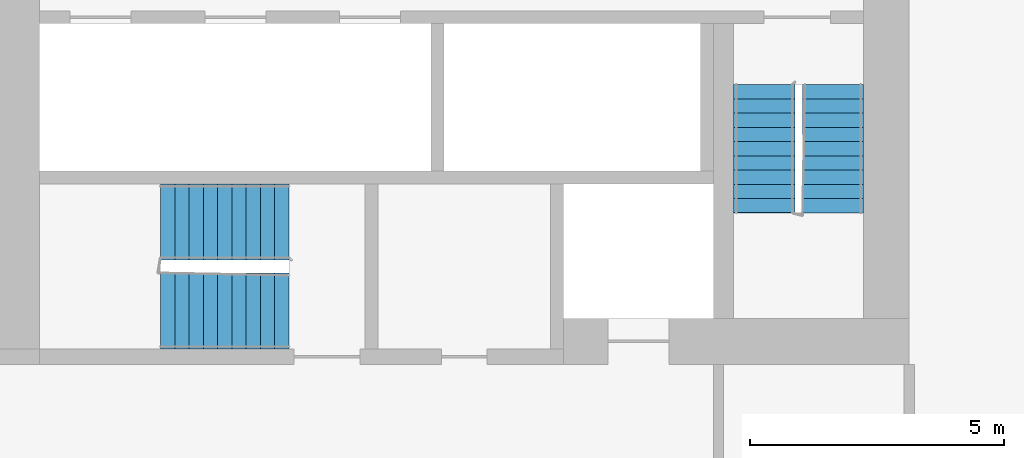
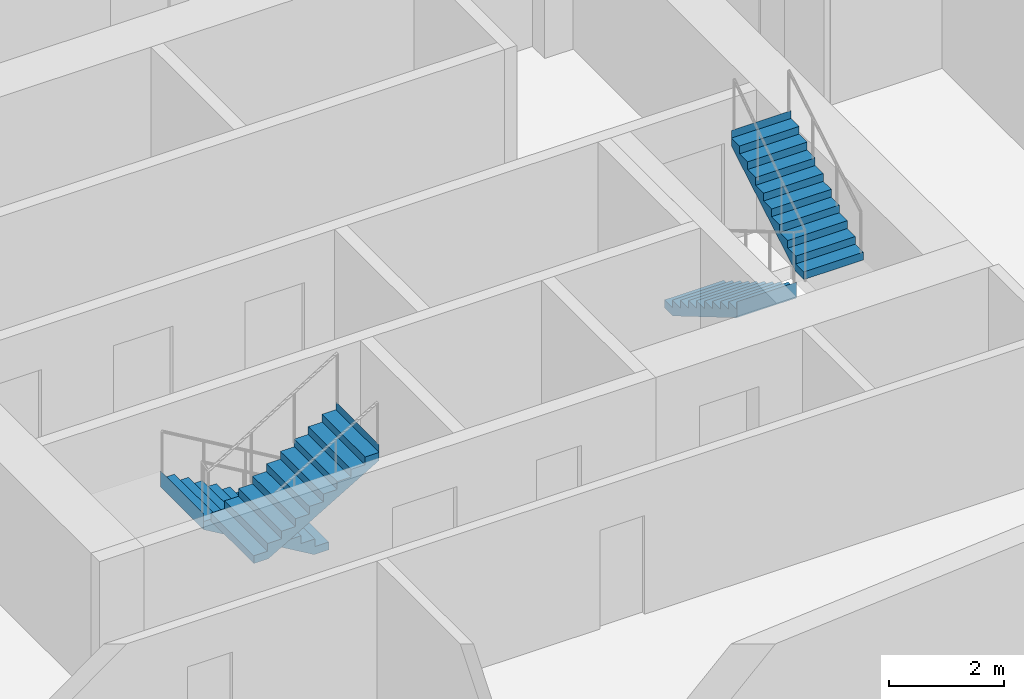
# One storey, part 9 of 12: 4 stair flights, 2 elements without a shape of their own.
"""IFC4 building model written with IfcOpenShell, lengths in metres."""

from ifc_helpers import new_model, si_unit, direction, frame, origin, place, context, subcontext, project, spatial, faceted_brep, material, type_object, element, aggregate, save


model = new_model("IFC4")

# Units and contexts
model_context = context("Model", 3, precision=1e-05, world=origin(), true_north=direction((0.0, 1.0)))
body_context = subcontext(model_context, "Body", "Model", "MODEL_VIEW")
ifc_project = project(units=[si_unit("LENGTHUNIT", "METRE"), si_unit("AREAUNIT", "SQUARE_METRE"), si_unit("VOLUMEUNIT", "CUBIC_METRE"), si_unit("PLANEANGLEUNIT", "RADIAN"), si_unit("MASSUNIT", "GRAM", prefix="KILO")], contexts=[model_context])

# Site, building, storey
site_placement = place(None, origin())
site = spatial("IfcSite", under=ifc_project, at=site_placement, CompositionType="ELEMENT")
building_placement = place(site_placement, origin())
building = spatial("IfcBuilding", under=site, at=building_placement, Name="Kajstack Hotel Tower", CompositionType="ELEMENT")
storey_placement = place(building_placement, frame((0.0, 0.0, 114.10009765625)))
storey = spatial("IfcBuildingStorey", under=building, at=storey_placement, Name="L24", CompositionType="ELEMENT", Elevation=114.10009765625)

# Stair, stair flights
ifc_material = material(Name="Concrete C40/50", Category="concrete")
stair_type_1 = type_object("IfcStairType", Name="Exit stair 1200", PredefinedType="HALF_TURN_STAIR", material=ifc_material)
stair_1_placement = place(storey_placement, origin())
stair_1 = element("IfcStair", 1, at=stair_1_placement, inside=storey, type_object=stair_type_1, Name="L24 stair W2", PredefinedType="HALF_TURN_STAIR")
stair_flight_type_1 = type_object("IfcStairFlightType", Name="Exit stair flight 1200", PredefinedType="STRAIGHT", material=ifc_material)
stair_flight_1_placement = place(storey_placement, frame((-16.35009765625, -10.0, 0.0), z_axis=(0.0, 0.0, 1.0), x_axis=(0.0, -1.0, 0.0)))
stair_flight_1 = element("IfcStairFlight", 2, at=stair_flight_1_placement, type_object=stair_flight_type_1, Name="W2 flight 1", NumberOfRisers=10, NumberOfTreads=9, PredefinedType="STRAIGHT", RiserHeight=0.165, TreadLength=0.28, context=body_context, shape_type="Brep", body=[
    faceted_brep([(0.295654296875, -0.60009765625, 0.0), (2.5205078125, -0.60009765625, 1.31103515625), (2.5205078125, -0.60009765625, 1.64990234375), (2.52001953125, -0.60009765625, 1.64990234375), (2.52001953125, -0.60009765625, 1.485107421875), (2.239990234375, -0.60009765625, 1.485107421875), (2.239990234375, -0.60009765625, 1.320068359375), (1.9599609375, -0.60009765625, 1.320068359375), (1.9599609375, -0.60009765625, 1.155029296875), (1.679931640625, -0.60009765625, 1.155029296875), (1.679931640625, -0.60009765625, 0.989990234375), (1.39990234375, -0.60009765625, 0.989990234375), (1.39990234375, -0.60009765625, 0.824951171875), (1.1201171875, -0.60009765625, 0.824951171875), (1.1201171875, -0.60009765625, 0.659912109375), (0.840087890625, -0.60009765625, 0.659912109375), (0.840087890625, -0.60009765625, 0.4951171875), (0.56005859375, -0.60009765625, 0.4951171875), (0.56005859375, -0.60009765625, 0.330078125), (0.280029296875, -0.60009765625, 0.330078125), (0.280029296875, -0.60009765625, 0.1650390625), (-0.00048828125, -0.60009765625, 0.1650390625), (-0.00048828125, -0.60009765625, 0.0), (-0.00048828125, 0.60009765625, 0.0), (-0.00048828125, 0.60009765625, 0.1650390625), (0.280029296875, 0.60009765625, 0.1650390625), (0.280029296875, 0.60009765625, 0.330078125), (0.56005859375, 0.60009765625, 0.330078125), (0.56005859375, 0.60009765625, 0.4951171875), (0.840087890625, 0.60009765625, 0.4951171875), (0.840087890625, 0.60009765625, 0.659912109375), (1.1201171875, 0.60009765625, 0.659912109375), (1.1201171875, 0.60009765625, 0.824951171875), (1.39990234375, 0.60009765625, 0.824951171875), (1.39990234375, 0.60009765625, 0.989990234375), (1.679931640625, 0.60009765625, 0.989990234375), (1.679931640625, 0.60009765625, 1.155029296875), (1.9599609375, 0.60009765625, 1.155029296875), (1.9599609375, 0.60009765625, 1.320068359375), (2.239990234375, 0.60009765625, 1.320068359375), (2.239990234375, 0.60009765625, 1.485107421875), (2.52001953125, 0.60009765625, 1.485107421875), (2.52001953125, 0.60009765625, 1.64990234375), (2.5205078125, 0.60009765625, 1.64990234375), (2.5205078125, 0.60009765625, 1.31103515625), (0.295654296875, 0.60009765625, 0.0), (-0.00048828125, -0.300048828125, 0.1650390625), (-0.00048828125, 0.0, 0.1650390625), (-0.00048828125, 0.300048828125, 0.1650390625), (-0.00048828125, 0.300048828125, 0.0), (-0.00048828125, 0.0, 0.0), (-0.00048828125, -0.300048828125, 0.0), (0.280029296875, -0.300048828125, 0.1650390625), (0.280029296875, 0.0, 0.1650390625), (0.280029296875, 0.300048828125, 0.1650390625), (0.280029296875, -0.300048828125, 0.330078125), (0.280029296875, 0.0, 0.330078125), (0.280029296875, 0.300048828125, 0.330078125), (0.56005859375, -0.300048828125, 0.330078125), (0.56005859375, 0.0, 0.330078125), (0.56005859375, 0.300048828125, 0.330078125), (0.56005859375, -0.300048828125, 0.4951171875), (0.56005859375, 0.0, 0.4951171875), (0.56005859375, 0.300048828125, 0.4951171875), (0.840087890625, -0.300048828125, 0.4951171875), (0.840087890625, 0.0, 0.4951171875), (0.840087890625, 0.300048828125, 0.4951171875), (0.840087890625, -0.300048828125, 0.659912109375), (0.840087890625, 0.0, 0.659912109375), (0.840087890625, 0.300048828125, 0.659912109375), (1.1201171875, -0.300048828125, 0.659912109375), (1.1201171875, 0.0, 0.659912109375), (1.1201171875, 0.300048828125, 0.659912109375), (1.1201171875, -0.300048828125, 0.824951171875), (1.1201171875, 0.0, 0.824951171875), (1.1201171875, 0.300048828125, 0.824951171875), (1.39990234375, -0.300048828125, 0.824951171875), (1.39990234375, 0.0, 0.824951171875), (1.39990234375, 0.300048828125, 0.824951171875), (1.39990234375, -0.300048828125, 0.989990234375), (1.39990234375, 0.0, 0.989990234375), (1.39990234375, 0.300048828125, 0.989990234375), (1.679931640625, -0.300048828125, 0.989990234375), (1.679931640625, 0.0, 0.989990234375), (1.679931640625, 0.300048828125, 0.989990234375), (1.679931640625, -0.300048828125, 1.155029296875), (1.679931640625, 0.0, 1.155029296875), (1.679931640625, 0.300048828125, 1.155029296875), (1.9599609375, -0.300048828125, 1.155029296875), (1.9599609375, 0.0, 1.155029296875), (1.9599609375, 0.300048828125, 1.155029296875), (1.9599609375, -0.300048828125, 1.320068359375), (1.9599609375, 0.0, 1.320068359375), (1.9599609375, 0.300048828125, 1.320068359375), (2.239990234375, -0.300048828125, 1.320068359375), (2.239990234375, 0.0, 1.320068359375), (2.239990234375, 0.300048828125, 1.320068359375), (2.239990234375, -0.300048828125, 1.485107421875), (2.239990234375, 0.0, 1.485107421875), (2.239990234375, 0.300048828125, 1.485107421875), (2.52001953125, -0.300048828125, 1.485107421875), (2.52001953125, 0.0, 1.485107421875), (2.52001953125, 0.300048828125, 1.485107421875), (2.52001953125, -0.300048828125, 1.64990234375), (2.52001953125, 0.0, 1.64990234375), (2.52001953125, 0.300048828125, 1.64990234375), (2.5205078125, -0.300048828125, 1.64990234375), (2.5205078125, 0.0, 1.64990234375), (2.5205078125, 0.300048828125, 1.64990234375), (2.5205078125, -0.300048828125, 1.31103515625), (2.5205078125, 0.0, 1.31103515625), (2.5205078125, 0.300048828125, 1.31103515625), (0.295654296875, -0.300048828125, 0.0), (0.295654296875, 0.0, 0.0), (0.295654296875, 0.300048828125, 0.0)], [[[0, 1, 2, 3, 4, 5, 6, 7, 8, 9, 10, 11, 12, 13, 14, 15, 16, 17, 18, 19, 20, 21, 22]], [[23, 24, 25, 26, 27, 28, 29, 30, 31, 32, 33, 34, 35, 36, 37, 38, 39, 40, 41, 42, 43, 44, 45]], [[21, 46, 47, 48, 24, 23, 49, 50, 51, 22]], [[20, 52, 53, 54, 25, 24, 48, 47, 46, 21]], [[19, 55, 56, 57, 26, 25, 54, 53, 52, 20]], [[18, 58, 59, 60, 27, 26, 57, 56, 55, 19]], [[17, 61, 62, 63, 28, 27, 60, 59, 58, 18]], [[16, 64, 65, 66, 29, 28, 63, 62, 61, 17]], [[15, 67, 68, 69, 30, 29, 66, 65, 64, 16]], [[14, 70, 71, 72, 31, 30, 69, 68, 67, 15]], [[13, 73, 74, 75, 32, 31, 72, 71, 70, 14]], [[12, 76, 77, 78, 33, 32, 75, 74, 73, 13]], [[11, 79, 80, 81, 34, 33, 78, 77, 76, 12]], [[10, 82, 83, 84, 35, 34, 81, 80, 79, 11]], [[9, 85, 86, 87, 36, 35, 84, 83, 82, 10]], [[8, 88, 89, 90, 37, 36, 87, 86, 85, 9]], [[7, 91, 92, 93, 38, 37, 90, 89, 88, 8]], [[6, 94, 95, 96, 39, 38, 93, 92, 91, 7]], [[5, 97, 98, 99, 40, 39, 96, 95, 94, 6]], [[4, 100, 101, 102, 41, 40, 99, 98, 97, 5]], [[3, 103, 104, 105, 42, 41, 102, 101, 100, 4]], [[2, 106, 107, 108, 43, 42, 105, 104, 103, 3]], [[1, 109, 110, 111, 44, 43, 108, 107, 106, 2]], [[0, 112, 113, 114, 45, 44, 111, 110, 109, 1]], [[22, 51, 50, 49, 23, 45, 114, 113, 112, 0]]]),
])
stair_flight_2_placement = place(storey_placement, frame((-15.0, -12.52001953125, 1.64990234375), z_axis=(0.0, 0.0, 1.0), x_axis=(0.0, 1.0, 0.0)))
stair_flight_2 = element("IfcStairFlight", 3, at=stair_flight_2_placement, type_object=stair_flight_type_1, Name="W2 flight 2", NumberOfRisers=10, NumberOfTreads=9, PredefinedType="STRAIGHT", RiserHeight=0.165, TreadLength=0.28, context=body_context, shape_type="Brep", body=[
    faceted_brep([(0.295654296875, -0.60009765625, 0.0), (2.5205078125, -0.60009765625, 1.31103515625), (2.5205078125, -0.60009765625, 1.64990234375), (2.52001953125, -0.60009765625, 1.64990234375), (2.52001953125, -0.60009765625, 1.485107421875), (2.239990234375, -0.60009765625, 1.485107421875), (2.239990234375, -0.60009765625, 1.320068359375), (1.9599609375, -0.60009765625, 1.320068359375), (1.9599609375, -0.60009765625, 1.155029296875), (1.679931640625, -0.60009765625, 1.155029296875), (1.679931640625, -0.60009765625, 0.989990234375), (1.39990234375, -0.60009765625, 0.989990234375), (1.39990234375, -0.60009765625, 0.824951171875), (1.1201171875, -0.60009765625, 0.824951171875), (1.1201171875, -0.60009765625, 0.659912109375), (0.840087890625, -0.60009765625, 0.659912109375), (0.840087890625, -0.60009765625, 0.4951171875), (0.56005859375, -0.60009765625, 0.4951171875), (0.56005859375, -0.60009765625, 0.330078125), (0.280029296875, -0.60009765625, 0.330078125), (0.280029296875, -0.60009765625, 0.1650390625), (-0.00048828125, -0.60009765625, 0.1650390625), (-0.00048828125, -0.60009765625, 0.0), (-0.00048828125, 0.60009765625, 0.0), (-0.00048828125, 0.60009765625, 0.1650390625), (0.280029296875, 0.60009765625, 0.1650390625), (0.280029296875, 0.60009765625, 0.330078125), (0.56005859375, 0.60009765625, 0.330078125), (0.56005859375, 0.60009765625, 0.4951171875), (0.840087890625, 0.60009765625, 0.4951171875), (0.840087890625, 0.60009765625, 0.659912109375), (1.1201171875, 0.60009765625, 0.659912109375), (1.1201171875, 0.60009765625, 0.824951171875), (1.39990234375, 0.60009765625, 0.824951171875), (1.39990234375, 0.60009765625, 0.989990234375), (1.679931640625, 0.60009765625, 0.989990234375), (1.679931640625, 0.60009765625, 1.155029296875), (1.9599609375, 0.60009765625, 1.155029296875), (1.9599609375, 0.60009765625, 1.320068359375), (2.239990234375, 0.60009765625, 1.320068359375), (2.239990234375, 0.60009765625, 1.485107421875), (2.52001953125, 0.60009765625, 1.485107421875), (2.52001953125, 0.60009765625, 1.64990234375), (2.5205078125, 0.60009765625, 1.64990234375), (2.5205078125, 0.60009765625, 1.31103515625), (0.295654296875, 0.60009765625, 0.0), (-0.00048828125, -0.300048828125, 0.1650390625), (-0.00048828125, 0.0, 0.1650390625), (-0.00048828125, 0.300048828125, 0.1650390625), (-0.00048828125, 0.300048828125, 0.0), (-0.00048828125, 0.0, 0.0), (-0.00048828125, -0.300048828125, 0.0), (0.280029296875, -0.300048828125, 0.1650390625), (0.280029296875, 0.0, 0.1650390625), (0.280029296875, 0.300048828125, 0.1650390625), (0.280029296875, -0.300048828125, 0.330078125), (0.280029296875, 0.0, 0.330078125), (0.280029296875, 0.300048828125, 0.330078125), (0.56005859375, -0.300048828125, 0.330078125), (0.56005859375, 0.0, 0.330078125), (0.56005859375, 0.300048828125, 0.330078125), (0.56005859375, -0.300048828125, 0.4951171875), (0.56005859375, 0.0, 0.4951171875), (0.56005859375, 0.300048828125, 0.4951171875), (0.840087890625, -0.300048828125, 0.4951171875), (0.840087890625, 0.0, 0.4951171875), (0.840087890625, 0.300048828125, 0.4951171875), (0.840087890625, -0.300048828125, 0.659912109375), (0.840087890625, 0.0, 0.659912109375), (0.840087890625, 0.300048828125, 0.659912109375), (1.1201171875, -0.300048828125, 0.659912109375), (1.1201171875, 0.0, 0.659912109375), (1.1201171875, 0.300048828125, 0.659912109375), (1.1201171875, -0.300048828125, 0.824951171875), (1.1201171875, 0.0, 0.824951171875), (1.1201171875, 0.300048828125, 0.824951171875), (1.39990234375, -0.300048828125, 0.824951171875), (1.39990234375, 0.0, 0.824951171875), (1.39990234375, 0.300048828125, 0.824951171875), (1.39990234375, -0.300048828125, 0.989990234375), (1.39990234375, 0.0, 0.989990234375), (1.39990234375, 0.300048828125, 0.989990234375), (1.679931640625, -0.300048828125, 0.989990234375), (1.679931640625, 0.0, 0.989990234375), (1.679931640625, 0.300048828125, 0.989990234375), (1.679931640625, -0.300048828125, 1.155029296875), (1.679931640625, 0.0, 1.155029296875), (1.679931640625, 0.300048828125, 1.155029296875), (1.9599609375, -0.300048828125, 1.155029296875), (1.9599609375, 0.0, 1.155029296875), (1.9599609375, 0.300048828125, 1.155029296875), (1.9599609375, -0.300048828125, 1.320068359375), (1.9599609375, 0.0, 1.320068359375), (1.9599609375, 0.300048828125, 1.320068359375), (2.239990234375, -0.300048828125, 1.320068359375), (2.239990234375, 0.0, 1.320068359375), (2.239990234375, 0.300048828125, 1.320068359375), (2.239990234375, -0.300048828125, 1.485107421875), (2.239990234375, 0.0, 1.485107421875), (2.239990234375, 0.300048828125, 1.485107421875), (2.52001953125, -0.300048828125, 1.485107421875), (2.52001953125, 0.0, 1.485107421875), (2.52001953125, 0.300048828125, 1.485107421875), (2.52001953125, -0.300048828125, 1.64990234375), (2.52001953125, 0.0, 1.64990234375), (2.52001953125, 0.300048828125, 1.64990234375), (2.5205078125, -0.300048828125, 1.64990234375), (2.5205078125, 0.0, 1.64990234375), (2.5205078125, 0.300048828125, 1.64990234375), (2.5205078125, -0.300048828125, 1.31103515625), (2.5205078125, 0.0, 1.31103515625), (2.5205078125, 0.300048828125, 1.31103515625), (0.295654296875, -0.300048828125, 0.0), (0.295654296875, 0.0, 0.0), (0.295654296875, 0.300048828125, 0.0)], [[[0, 1, 2, 3, 4, 5, 6, 7, 8, 9, 10, 11, 12, 13, 14, 15, 16, 17, 18, 19, 20, 21, 22]], [[23, 24, 25, 26, 27, 28, 29, 30, 31, 32, 33, 34, 35, 36, 37, 38, 39, 40, 41, 42, 43, 44, 45]], [[21, 46, 47, 48, 24, 23, 49, 50, 51, 22]], [[20, 52, 53, 54, 25, 24, 48, 47, 46, 21]], [[19, 55, 56, 57, 26, 25, 54, 53, 52, 20]], [[18, 58, 59, 60, 27, 26, 57, 56, 55, 19]], [[17, 61, 62, 63, 28, 27, 60, 59, 58, 18]], [[16, 64, 65, 66, 29, 28, 63, 62, 61, 17]], [[15, 67, 68, 69, 30, 29, 66, 65, 64, 16]], [[14, 70, 71, 72, 31, 30, 69, 68, 67, 15]], [[13, 73, 74, 75, 32, 31, 72, 71, 70, 14]], [[12, 76, 77, 78, 33, 32, 75, 74, 73, 13]], [[11, 79, 80, 81, 34, 33, 78, 77, 76, 12]], [[10, 82, 83, 84, 35, 34, 81, 80, 79, 11]], [[9, 85, 86, 87, 36, 35, 84, 83, 82, 10]], [[8, 88, 89, 90, 37, 36, 87, 86, 85, 9]], [[7, 91, 92, 93, 38, 37, 90, 89, 88, 8]], [[6, 94, 95, 96, 39, 38, 93, 92, 91, 7]], [[5, 97, 98, 99, 40, 39, 96, 95, 94, 6]], [[4, 100, 101, 102, 41, 40, 99, 98, 97, 5]], [[3, 103, 104, 105, 42, 41, 102, 101, 100, 4]], [[2, 106, 107, 108, 43, 42, 105, 104, 103, 3]], [[1, 109, 110, 111, 44, 43, 108, 107, 106, 2]], [[0, 112, 113, 114, 45, 44, 111, 110, 109, 1]], [[22, 51, 50, 49, 23, 45, 114, 113, 112, 0]]]),
])
aggregate(stair_1, [stair_flight_1, stair_flight_2])

stair_type_2 = type_object("IfcStairType", Name="Exit stair 1500", PredefinedType="HALF_TURN_STAIR", material=ifc_material)
stair_2_placement = place(storey_placement, origin())
stair_2 = element("IfcStair", 4, at=stair_2_placement, inside=storey, type_object=stair_type_2, Name="L24 stair W3", PredefinedType="HALF_TURN_STAIR")
stair_flight_type_2 = type_object("IfcStairFlightType", Name="Exit stair flight 1500", PredefinedType="STRAIGHT", material=ifc_material)
stair_flight_3_placement = place(storey_placement, frame((-25.699951171875, -12.699951171875, 0.0), z_axis=(0.0, 0.0, 1.0), x_axis=(-1.0, 0.0, 0.0)))
stair_flight_3 = element("IfcStairFlight", 5, at=stair_flight_3_placement, type_object=stair_flight_type_2, Name="W3 flight 1", NumberOfRisers=10, NumberOfTreads=9, PredefinedType="STRAIGHT", RiserHeight=0.165, TreadLength=0.28, context=body_context, shape_type="Brep", body=[
    faceted_brep([(0.295654296875, -0.75, 0.0), (2.5205078125, -0.75, 1.31103515625), (2.5205078125, -0.75, 1.64990234375), (2.52001953125, -0.75, 1.64990234375), (2.52001953125, -0.75, 1.485107421875), (2.239990234375, -0.75, 1.485107421875), (2.239990234375, -0.75, 1.320068359375), (1.9599609375, -0.75, 1.320068359375), (1.9599609375, -0.75, 1.155029296875), (1.679931640625, -0.75, 1.155029296875), (1.679931640625, -0.75, 0.989990234375), (1.39990234375, -0.75, 0.989990234375), (1.39990234375, -0.75, 0.824951171875), (1.1201171875, -0.75, 0.824951171875), (1.1201171875, -0.75, 0.659912109375), (0.840087890625, -0.75, 0.659912109375), (0.840087890625, -0.75, 0.4951171875), (0.56005859375, -0.75, 0.4951171875), (0.56005859375, -0.75, 0.330078125), (0.280029296875, -0.75, 0.330078125), (0.280029296875, -0.75, 0.1650390625), (-0.00048828125, -0.75, 0.1650390625), (-0.00048828125, -0.75, 0.0), (-0.00048828125, 0.75, 0.0), (-0.00048828125, 0.75, 0.1650390625), (0.280029296875, 0.75, 0.1650390625), (0.280029296875, 0.75, 0.330078125), (0.56005859375, 0.75, 0.330078125), (0.56005859375, 0.75, 0.4951171875), (0.840087890625, 0.75, 0.4951171875), (0.840087890625, 0.75, 0.659912109375), (1.1201171875, 0.75, 0.659912109375), (1.1201171875, 0.75, 0.824951171875), (1.39990234375, 0.75, 0.824951171875), (1.39990234375, 0.75, 0.989990234375), (1.679931640625, 0.75, 0.989990234375), (1.679931640625, 0.75, 1.155029296875), (1.9599609375, 0.75, 1.155029296875), (1.9599609375, 0.75, 1.320068359375), (2.239990234375, 0.75, 1.320068359375), (2.239990234375, 0.75, 1.485107421875), (2.52001953125, 0.75, 1.485107421875), (2.52001953125, 0.75, 1.64990234375), (2.5205078125, 0.75, 1.64990234375), (2.5205078125, 0.75, 1.31103515625), (0.295654296875, 0.75, 0.0), (-0.00048828125, -0.375, 0.1650390625), (-0.00048828125, 0.0, 0.1650390625), (-0.00048828125, 0.375, 0.1650390625), (-0.00048828125, 0.375, 0.0), (-0.00048828125, 0.0, 0.0), (-0.00048828125, -0.375, 0.0), (0.280029296875, -0.375, 0.1650390625), (0.280029296875, 0.0, 0.1650390625), (0.280029296875, 0.375, 0.1650390625), (0.280029296875, -0.375, 0.330078125), (0.280029296875, 0.0, 0.330078125), (0.280029296875, 0.375, 0.330078125), (0.56005859375, -0.375, 0.330078125), (0.56005859375, 0.0, 0.330078125), (0.56005859375, 0.375, 0.330078125), (0.56005859375, -0.375, 0.4951171875), (0.56005859375, 0.0, 0.4951171875), (0.56005859375, 0.375, 0.4951171875), (0.840087890625, -0.375, 0.4951171875), (0.840087890625, 0.0, 0.4951171875), (0.840087890625, 0.375, 0.4951171875), (0.840087890625, -0.375, 0.659912109375), (0.840087890625, 0.0, 0.659912109375), (0.840087890625, 0.375, 0.659912109375), (1.1201171875, -0.375, 0.659912109375), (1.1201171875, 0.0, 0.659912109375), (1.1201171875, 0.375, 0.659912109375), (1.1201171875, -0.375, 0.824951171875), (1.1201171875, 0.0, 0.824951171875), (1.1201171875, 0.375, 0.824951171875), (1.39990234375, -0.375, 0.824951171875), (1.39990234375, 0.0, 0.824951171875), (1.39990234375, 0.375, 0.824951171875), (1.39990234375, -0.375, 0.989990234375), (1.39990234375, 0.0, 0.989990234375), (1.39990234375, 0.375, 0.989990234375), (1.679931640625, -0.375, 0.989990234375), (1.679931640625, 0.0, 0.989990234375), (1.679931640625, 0.375, 0.989990234375), (1.679931640625, -0.375, 1.155029296875), (1.679931640625, 0.0, 1.155029296875), (1.679931640625, 0.375, 1.155029296875), (1.9599609375, -0.375, 1.155029296875), (1.9599609375, 0.0, 1.155029296875), (1.9599609375, 0.375, 1.155029296875), (1.9599609375, -0.375, 1.320068359375), (1.9599609375, 0.0, 1.320068359375), (1.9599609375, 0.375, 1.320068359375), (2.239990234375, -0.375, 1.320068359375), (2.239990234375, 0.0, 1.320068359375), (2.239990234375, 0.375, 1.320068359375), (2.239990234375, -0.375, 1.485107421875), (2.239990234375, 0.0, 1.485107421875), (2.239990234375, 0.375, 1.485107421875), (2.52001953125, -0.375, 1.485107421875), (2.52001953125, 0.0, 1.485107421875), (2.52001953125, 0.375, 1.485107421875), (2.52001953125, -0.375, 1.64990234375), (2.52001953125, 0.0, 1.64990234375), (2.52001953125, 0.375, 1.64990234375), (2.5205078125, -0.375, 1.64990234375), (2.5205078125, 0.0, 1.64990234375), (2.5205078125, 0.375, 1.64990234375), (2.5205078125, -0.375, 1.31103515625), (2.5205078125, 0.0, 1.31103515625), (2.5205078125, 0.375, 1.31103515625), (0.295654296875, -0.375, 0.0), (0.295654296875, 0.0, 0.0), (0.295654296875, 0.375, 0.0)], [[[0, 1, 2, 3, 4, 5, 6, 7, 8, 9, 10, 11, 12, 13, 14, 15, 16, 17, 18, 19, 20, 21, 22]], [[23, 24, 25, 26, 27, 28, 29, 30, 31, 32, 33, 34, 35, 36, 37, 38, 39, 40, 41, 42, 43, 44, 45]], [[21, 46, 47, 48, 24, 23, 49, 50, 51, 22]], [[20, 52, 53, 54, 25, 24, 48, 47, 46, 21]], [[19, 55, 56, 57, 26, 25, 54, 53, 52, 20]], [[18, 58, 59, 60, 27, 26, 57, 56, 55, 19]], [[17, 61, 62, 63, 28, 27, 60, 59, 58, 18]], [[16, 64, 65, 66, 29, 28, 63, 62, 61, 17]], [[15, 67, 68, 69, 30, 29, 66, 65, 64, 16]], [[14, 70, 71, 72, 31, 30, 69, 68, 67, 15]], [[13, 73, 74, 75, 32, 31, 72, 71, 70, 14]], [[12, 76, 77, 78, 33, 32, 75, 74, 73, 13]], [[11, 79, 80, 81, 34, 33, 78, 77, 76, 12]], [[10, 82, 83, 84, 35, 34, 81, 80, 79, 11]], [[9, 85, 86, 87, 36, 35, 84, 83, 82, 10]], [[8, 88, 89, 90, 37, 36, 87, 86, 85, 9]], [[7, 91, 92, 93, 38, 37, 90, 89, 88, 8]], [[6, 94, 95, 96, 39, 38, 93, 92, 91, 7]], [[5, 97, 98, 99, 40, 39, 96, 95, 94, 6]], [[4, 100, 101, 102, 41, 40, 99, 98, 97, 5]], [[3, 103, 104, 105, 42, 41, 102, 101, 100, 4]], [[2, 106, 107, 108, 43, 42, 105, 104, 103, 3]], [[1, 109, 110, 111, 44, 43, 108, 107, 106, 2]], [[0, 112, 113, 114, 45, 44, 111, 110, 109, 1]], [[22, 51, 50, 49, 23, 45, 114, 113, 112, 0]]]),
])
stair_flight_4_placement = place(storey_placement, frame((-28.219970703125, -14.449951171875, 1.64990234375), z_axis=(0.0, 0.0, 1.0), x_axis=(1.0, 0.0, 0.0)))
stair_flight_4 = element("IfcStairFlight", 6, at=stair_flight_4_placement, type_object=stair_flight_type_2, Name="W3 flight 2", NumberOfRisers=10, NumberOfTreads=9, PredefinedType="STRAIGHT", RiserHeight=0.165, TreadLength=0.28, context=body_context, shape_type="Brep", body=[
    faceted_brep([(0.295654296875, -0.75, 0.0), (2.5205078125, -0.75, 1.31103515625), (2.5205078125, -0.75, 1.64990234375), (2.52001953125, -0.75, 1.64990234375), (2.52001953125, -0.75, 1.485107421875), (2.239990234375, -0.75, 1.485107421875), (2.239990234375, -0.75, 1.320068359375), (1.9599609375, -0.75, 1.320068359375), (1.9599609375, -0.75, 1.155029296875), (1.679931640625, -0.75, 1.155029296875), (1.679931640625, -0.75, 0.989990234375), (1.39990234375, -0.75, 0.989990234375), (1.39990234375, -0.75, 0.824951171875), (1.1201171875, -0.75, 0.824951171875), (1.1201171875, -0.75, 0.659912109375), (0.840087890625, -0.75, 0.659912109375), (0.840087890625, -0.75, 0.4951171875), (0.56005859375, -0.75, 0.4951171875), (0.56005859375, -0.75, 0.330078125), (0.280029296875, -0.75, 0.330078125), (0.280029296875, -0.75, 0.1650390625), (-0.00048828125, -0.75, 0.1650390625), (-0.00048828125, -0.75, 0.0), (-0.00048828125, 0.75, 0.0), (-0.00048828125, 0.75, 0.1650390625), (0.280029296875, 0.75, 0.1650390625), (0.280029296875, 0.75, 0.330078125), (0.56005859375, 0.75, 0.330078125), (0.56005859375, 0.75, 0.4951171875), (0.840087890625, 0.75, 0.4951171875), (0.840087890625, 0.75, 0.659912109375), (1.1201171875, 0.75, 0.659912109375), (1.1201171875, 0.75, 0.824951171875), (1.39990234375, 0.75, 0.824951171875), (1.39990234375, 0.75, 0.989990234375), (1.679931640625, 0.75, 0.989990234375), (1.679931640625, 0.75, 1.155029296875), (1.9599609375, 0.75, 1.155029296875), (1.9599609375, 0.75, 1.320068359375), (2.239990234375, 0.75, 1.320068359375), (2.239990234375, 0.75, 1.485107421875), (2.52001953125, 0.75, 1.485107421875), (2.52001953125, 0.75, 1.64990234375), (2.5205078125, 0.75, 1.64990234375), (2.5205078125, 0.75, 1.31103515625), (0.295654296875, 0.75, 0.0), (-0.00048828125, -0.375, 0.1650390625), (-0.00048828125, 0.0, 0.1650390625), (-0.00048828125, 0.375, 0.1650390625), (-0.00048828125, 0.375, 0.0), (-0.00048828125, 0.0, 0.0), (-0.00048828125, -0.375, 0.0), (0.280029296875, -0.375, 0.1650390625), (0.280029296875, 0.0, 0.1650390625), (0.280029296875, 0.375, 0.1650390625), (0.280029296875, -0.375, 0.330078125), (0.280029296875, 0.0, 0.330078125), (0.280029296875, 0.375, 0.330078125), (0.56005859375, -0.375, 0.330078125), (0.56005859375, 0.0, 0.330078125), (0.56005859375, 0.375, 0.330078125), (0.56005859375, -0.375, 0.4951171875), (0.56005859375, 0.0, 0.4951171875), (0.56005859375, 0.375, 0.4951171875), (0.840087890625, -0.375, 0.4951171875), (0.840087890625, 0.0, 0.4951171875), (0.840087890625, 0.375, 0.4951171875), (0.840087890625, -0.375, 0.659912109375), (0.840087890625, 0.0, 0.659912109375), (0.840087890625, 0.375, 0.659912109375), (1.1201171875, -0.375, 0.659912109375), (1.1201171875, 0.0, 0.659912109375), (1.1201171875, 0.375, 0.659912109375), (1.1201171875, -0.375, 0.824951171875), (1.1201171875, 0.0, 0.824951171875), (1.1201171875, 0.375, 0.824951171875), (1.39990234375, -0.375, 0.824951171875), (1.39990234375, 0.0, 0.824951171875), (1.39990234375, 0.375, 0.824951171875), (1.39990234375, -0.375, 0.989990234375), (1.39990234375, 0.0, 0.989990234375), (1.39990234375, 0.375, 0.989990234375), (1.679931640625, -0.375, 0.989990234375), (1.679931640625, 0.0, 0.989990234375), (1.679931640625, 0.375, 0.989990234375), (1.679931640625, -0.375, 1.155029296875), (1.679931640625, 0.0, 1.155029296875), (1.679931640625, 0.375, 1.155029296875), (1.9599609375, -0.375, 1.155029296875), (1.9599609375, 0.0, 1.155029296875), (1.9599609375, 0.375, 1.155029296875), (1.9599609375, -0.375, 1.320068359375), (1.9599609375, 0.0, 1.320068359375), (1.9599609375, 0.375, 1.320068359375), (2.239990234375, -0.375, 1.320068359375), (2.239990234375, 0.0, 1.320068359375), (2.239990234375, 0.375, 1.320068359375), (2.239990234375, -0.375, 1.485107421875), (2.239990234375, 0.0, 1.485107421875), (2.239990234375, 0.375, 1.485107421875), (2.52001953125, -0.375, 1.485107421875), (2.52001953125, 0.0, 1.485107421875), (2.52001953125, 0.375, 1.485107421875), (2.52001953125, -0.375, 1.64990234375), (2.52001953125, 0.0, 1.64990234375), (2.52001953125, 0.375, 1.64990234375), (2.5205078125, -0.375, 1.64990234375), (2.5205078125, 0.0, 1.64990234375), (2.5205078125, 0.375, 1.64990234375), (2.5205078125, -0.375, 1.31103515625), (2.5205078125, 0.0, 1.31103515625), (2.5205078125, 0.375, 1.31103515625), (0.295654296875, -0.375, 0.0), (0.295654296875, 0.0, 0.0), (0.295654296875, 0.375, 0.0)], [[[0, 1, 2, 3, 4, 5, 6, 7, 8, 9, 10, 11, 12, 13, 14, 15, 16, 17, 18, 19, 20, 21, 22]], [[23, 24, 25, 26, 27, 28, 29, 30, 31, 32, 33, 34, 35, 36, 37, 38, 39, 40, 41, 42, 43, 44, 45]], [[21, 46, 47, 48, 24, 23, 49, 50, 51, 22]], [[20, 52, 53, 54, 25, 24, 48, 47, 46, 21]], [[19, 55, 56, 57, 26, 25, 54, 53, 52, 20]], [[18, 58, 59, 60, 27, 26, 57, 56, 55, 19]], [[17, 61, 62, 63, 28, 27, 60, 59, 58, 18]], [[16, 64, 65, 66, 29, 28, 63, 62, 61, 17]], [[15, 67, 68, 69, 30, 29, 66, 65, 64, 16]], [[14, 70, 71, 72, 31, 30, 69, 68, 67, 15]], [[13, 73, 74, 75, 32, 31, 72, 71, 70, 14]], [[12, 76, 77, 78, 33, 32, 75, 74, 73, 13]], [[11, 79, 80, 81, 34, 33, 78, 77, 76, 12]], [[10, 82, 83, 84, 35, 34, 81, 80, 79, 11]], [[9, 85, 86, 87, 36, 35, 84, 83, 82, 10]], [[8, 88, 89, 90, 37, 36, 87, 86, 85, 9]], [[7, 91, 92, 93, 38, 37, 90, 89, 88, 8]], [[6, 94, 95, 96, 39, 38, 93, 92, 91, 7]], [[5, 97, 98, 99, 40, 39, 96, 95, 94, 6]], [[4, 100, 101, 102, 41, 40, 99, 98, 97, 5]], [[3, 103, 104, 105, 42, 41, 102, 101, 100, 4]], [[2, 106, 107, 108, 43, 42, 105, 104, 103, 3]], [[1, 109, 110, 111, 44, 43, 108, 107, 106, 2]], [[0, 112, 113, 114, 45, 44, 111, 110, 109, 1]], [[22, 51, 50, 49, 23, 45, 114, 113, 112, 0]]]),
])
aggregate(stair_2, [stair_flight_3, stair_flight_4])

save(model, "model.ifc")
